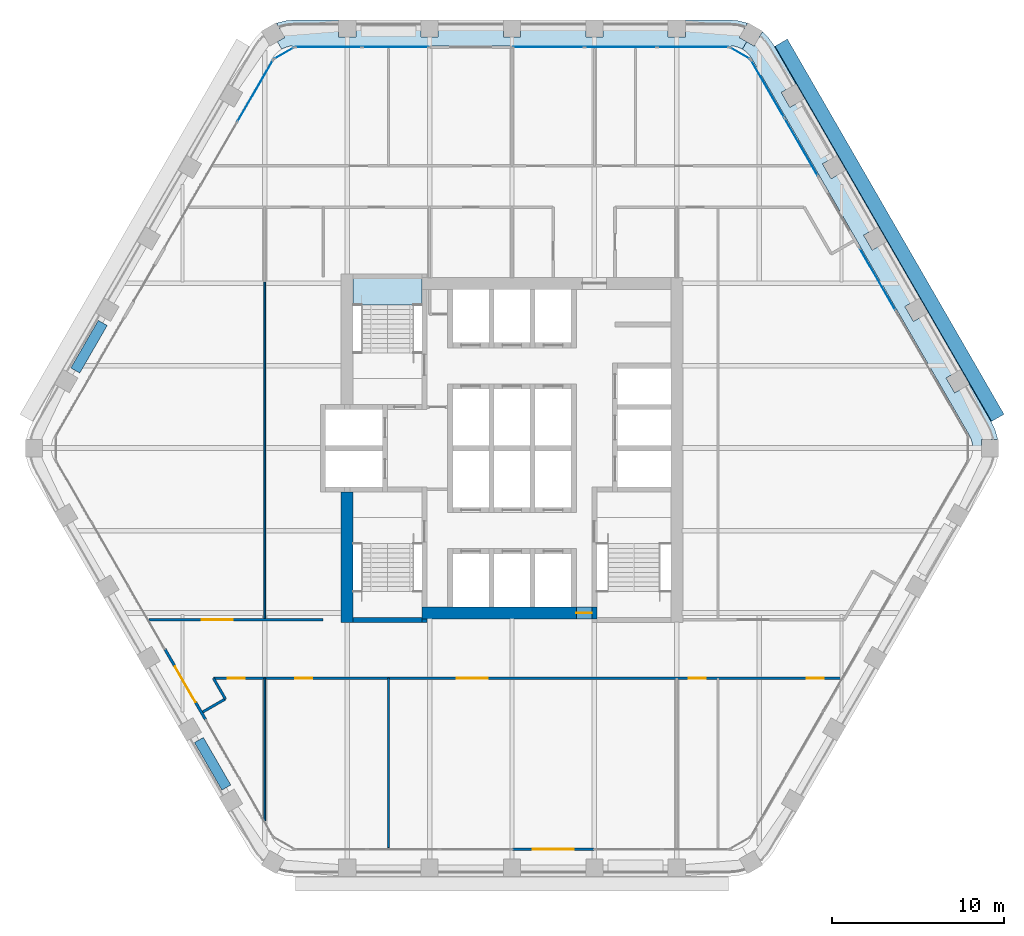
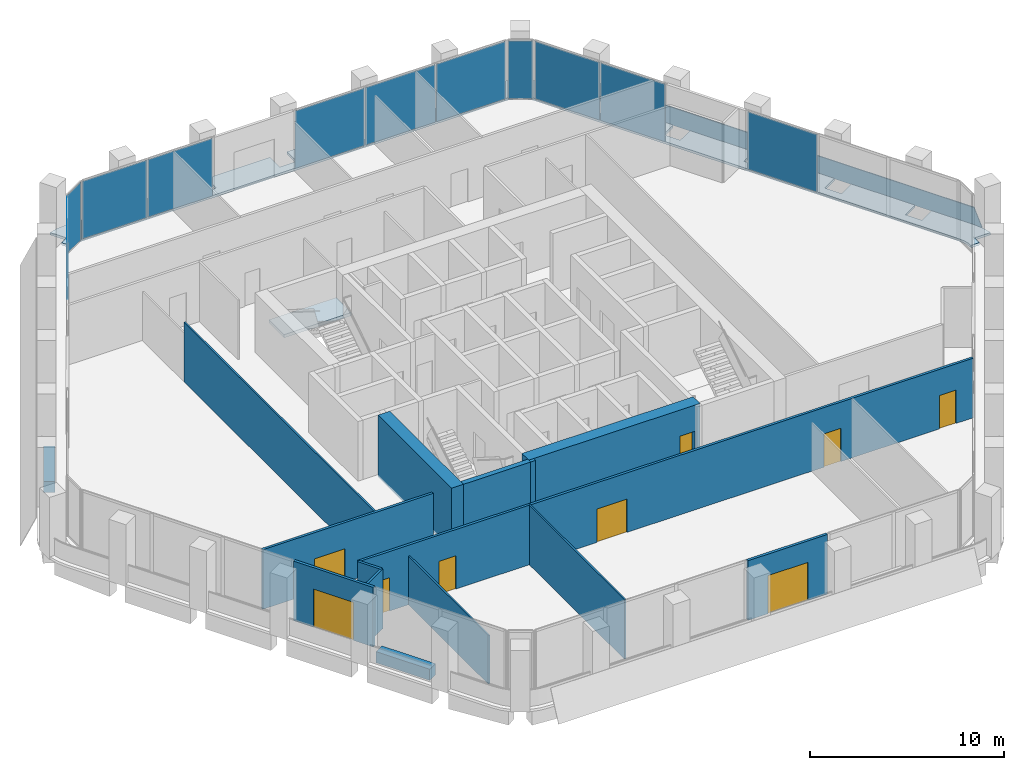
# One storey, part 8 of 15: 15 walls, 12 plates, 9 doors, 3 slabs, 9 openings, 8 elements without a shape of their own.
"""IFC4 building model written with IfcOpenShell, lengths in metres."""

from ifc_helpers import new_model, si_unit, direction, frame, frame_2d, origin, origin_2d, place, context, subcontext, project, spatial, polyline, rectangle, outline, extrude, material, layer, layer_set, type_object, element, fill, aggregate, save


model = new_model("IFC4")

# Units and contexts
model_context = context("Model", 3, precision=1e-05, world=origin(), true_north=direction((0.0, 1.0)))
body_context = subcontext(model_context, "Body", "Model", "MODEL_VIEW")
ifc_project = project(units=[si_unit("LENGTHUNIT", "METRE"), si_unit("AREAUNIT", "SQUARE_METRE"), si_unit("VOLUMEUNIT", "CUBIC_METRE"), si_unit("PLANEANGLEUNIT", "RADIAN"), si_unit("MASSUNIT", "GRAM", prefix="KILO")], contexts=[model_context])

# Site, building, storey
site_placement = place(None, origin())
site = spatial("IfcSite", under=ifc_project, at=site_placement, CompositionType="ELEMENT")
building_placement = place(site_placement, origin())
building = spatial("IfcBuilding", under=site, at=building_placement, Name="Kolab Exchange Tower", CompositionType="ELEMENT")
storey_placement = place(building_placement, frame((0.0, 0.0, 158.300048828125)))
storey = spatial("IfcBuildingStorey", under=building, at=storey_placement, Name="L32", CompositionType="ELEMENT", Elevation=158.300048828125)

# Slabs
ifc_material_1 = material(Name="Concrete C35/45", Category="concrete")
ifc_layer_1 = layer(ifc_material_1, 0.14990234375)
ifc_layer_set_1 = layer_set([ifc_layer_1], Name="Concrete C35/45")
slab_type_1 = type_object("IfcSlabType", Name="LOGGIA SLAB 150", PredefinedType="FLOOR", material=ifc_layer_set_1)
slab_1_placement = place(storey_placement, frame((0.0, 0.0, -0.150146484375)))
element("IfcSlab", 1, at=slab_1_placement, inside=storey, type_object=slab_type_1, Name="slab/L32/loggia/0-0", PredefinedType="FLOOR", context=body_context, shape_type="SweptSolid", body=[
    extrude(outline(polyline([(13.41796875, 23.240478515625), (13.66796875, 23.673583984375), (13.23486328125, 23.923583984375), (13.713134765625, 24.751708984375), (13.694091796875, 24.760498046875), (13.18896484375, 24.89599609375), (12.66796875, 24.941650390625), (10.10009765625, 24.941650390625), (10.10009765625, 23.941650390625), (9.10009765625, 23.941650390625), (9.10009765625, 24.941650390625), (5.300048828125, 24.941650390625), (5.300048828125, 23.941650390625), (4.300048828125, 23.941650390625), (4.300048828125, 24.941650390625), (0.5, 24.941650390625), (0.5, 23.941650390625), (-0.5, 23.941650390625), (-0.5, 24.941650390625), (-4.300048828125, 24.941650390625), (-4.300048828125, 23.941650390625), (-5.300048828125, 23.941650390625), (-5.300048828125, 24.941650390625), (-9.10009765625, 24.941650390625), (-9.10009765625, 23.941650390625), (-10.10009765625, 23.941650390625), (-10.10009765625, 24.941650390625), (-12.66796875, 24.941650390625), (-13.18896484375, 24.89599609375), (-13.694091796875, 24.760498046875), (-13.713134765625, 24.751708984375), (-13.23486328125, 23.923583984375), (-13.66796875, 23.673583984375), (-13.41796875, 23.240478515625), (-13.180908203125, 23.35107421875), (-12.928466796875, 23.418701171875), (-12.66796875, 23.441650390625), (12.66796875, 23.441650390625), (12.928466796875, 23.418701171875), (13.180908203125, 23.35107421875), (13.41796875, 23.240478515625)])), origin(), (0.0, 0.0, 1.0), 0.150146484375),
])
slab_2_placement = place(storey_placement, frame((0.0, 0.0, -0.150146484375)))
element("IfcSlab", 2, at=slab_2_placement, inside=storey, type_object=slab_type_1, Name="slab/L32/loggia/1-0", PredefinedType="FLOOR", context=body_context, shape_type="SweptSolid", body=[
    extrude(outline(polyline([(26.8359375, 0.0), (27.3359375, 0.0), (27.3359375, 0.5), (28.292236328125, 0.5), (28.290283203125, 0.52099609375), (28.155029296875, 1.026123046875), (27.93408203125, 1.5), (26.64990234375, 3.723876953125), (25.783935546875, 3.223876953125), (25.283935546875, 4.08984375), (26.14990234375, 4.58984375), (24.25, 7.880859375), (23.384033203125, 7.380859375), (22.884033203125, 8.246826171875), (23.75, 8.746826171875), (21.85009765625, 12.037841796875), (20.98388671875, 11.537841796875), (20.48388671875, 12.40380859375), (21.35009765625, 12.90380859375), (19.449951171875, 16.194580078125), (18.583984375, 15.694580078125), (18.083984375, 16.560791015625), (18.949951171875, 17.060791015625), (17.050048828125, 20.3515625), (16.18408203125, 19.8515625), (15.68408203125, 20.717529296875), (16.550048828125, 21.217529296875), (15.26611328125, 23.441650390625), (14.966064453125, 23.869873046875), (14.59619140625, 24.23974609375), (14.5791015625, 24.251708984375), (14.10107421875, 23.423583984375), (13.66796875, 23.673583984375), (13.41796875, 23.240478515625), (13.632080078125, 23.090576171875), (13.81689453125, 22.90576171875), (13.967041015625, 22.691650390625), (26.635009765625, 0.75), (26.745361328125, 0.512939453125), (26.81298828125, 0.260498046875), (26.8359375, 0.0)])), origin(), (0.0, 0.0, 1.0), 0.150146484375),
])

# Plate
ifc_material_2 = material(Name="Laminated glass, clear", Category="glass")
ifc_layer_2 = layer(ifc_material_2, 0.0400390625)
ifc_layer_set_2 = layer_set([ifc_layer_2], Name="Laminated glass, clear")
plate_type_1 = type_object("IfcPlateType", Name="OUTER SKIN LAMINATED GLASS SHEET 40", PredefinedType="SHEET", material=ifc_layer_set_2)
plate_1_placement = place(storey_placement, frame((16.040283203125, 23.830810546875, -0.68310546875), z_axis=(0.784879402523, 0.453150748855, 0.422633082363), x_axis=(0.49999996891, -0.866025421734, 9.26397e-07)))
element("IfcPlate", 3, at=plate_1_placement, inside=storey, type_object=plate_type_1, Name="Outer skin", PredefinedType="SHEET", context=body_context, shape_type="SweptSolid", body=[
    extrude(outline(polyline([(0.0, 0.0), (25.235928246078725, 0.0), (25.235843279343584, -1.9610710072384856), (0.00012646525258926716, -1.9611225980101972), (0.0, 0.0)])), origin(), (0.0, 0.0, -1.0), 0.0400390625),
])

# Stair, slab
ifc_material_3 = material(Name="Concrete C50/60", Category="concrete")
stair_type = type_object("IfcStairType", Name="STAIR ST1 RISER 177.3", PredefinedType="HALF_TURN_STAIR", material=ifc_material_3)
stair_placement = place(storey_placement, origin())
stair = element("IfcStair", 4, at=stair_placement, inside=storey, type_object=stair_type, Name="Stair 1", PredefinedType="HALF_TURN_STAIR")
ifc_layer_3 = layer(ifc_material_3, 0.199951171875)
ifc_layer_set_3 = layer_set([ifc_layer_3], Name="Concrete C50/60")
slab_type_2 = type_object("IfcSlabType", Name="STAIR LANDING 200", PredefinedType="LANDING", material=ifc_layer_set_3)
slab_3_placement = place(storey_placement, frame((0.0, 0.0, 1.75)))
slab_3 = element("IfcSlab", 5, at=slab_3_placement, type_object=slab_type_2, Name="ST1 landing 2", PredefinedType="LANDING", context=body_context, shape_type="SweptSolid", body=[
    extrude(outline(polyline([(-9.25, 8.35009765625), (-5.25, 8.35009765625), (-5.25, 9.909912109375), (-9.25, 9.909912109375), (-9.25, 8.35009765625)])), origin(), (0.0, 0.0, 1.0), 0.199951171875),
])
aggregate(stair, [slab_3])

# Curtain wall, plates
ifc_material_4 = material(Name="Aluminium EN AW-6063 T6", Category="aluminium")
curtain_wall_type = type_object("IfcCurtainWallType", Name="UNITISED UPPER MID ZONE CURTAIN WALL", PredefinedType="NOTDEFINED", material=ifc_material_4)
curtain_wall_1_placement = place(storey_placement, origin())
curtain_wall_1 = element("IfcCurtainWall", 6, at=curtain_wall_1_placement, inside=storey, type_object=curtain_wall_type, Name="cw/L32/F1-1", PredefinedType="NOTDEFINED")
ifc_material_5 = material(Name="Clear insulated glazing unit", Category="glass")
ifc_layer_4 = layer(ifc_material_5, 0.028076171875)
ifc_layer_set_4 = layer_set([ifc_layer_4], Name="Clear insulated glazing unit")
plate_type_2 = type_object("IfcPlateType", Name="UNITISED UPPER MID ZONE GLASS PANEL 28", PredefinedType="CURTAIN_PANEL", material=ifc_layer_set_4)
plate_2_placement = place(storey_placement, frame((-10.68603515625, 23.361572265625, 0.06005859375), z_axis=(0.0, 0.0, 1.0), x_axis=(1.0, 0.0, 0.0)))
plate_2 = element("IfcPlate", 7, at=plate_2_placement, type_object=plate_type_2, Name="CW3 panel 1.1", PredefinedType="CURTAIN_PANEL", context=body_context, shape_type="SweptSolid", body=[
    extrude(rectangle(XDim=3.843994140625, YDim=0.028076171875, at=origin_2d()), origin(), (0.0, 0.0, 1.0), 3.6298828125),
])
plate_3_placement = place(storey_placement, frame((-6.781982421875, 23.361572265625, 0.06005859375), z_axis=(0.0, 0.0, 1.0), x_axis=(1.0, 0.0, 0.0)))
plate_3 = element("IfcPlate", 8, at=plate_3_placement, type_object=plate_type_2, Name="CW3 panel 2.1", PredefinedType="CURTAIN_PANEL", context=body_context, shape_type="SweptSolid", body=[
    extrude(rectangle(XDim=3.843994140625, YDim=0.028076171875, at=origin_2d()), origin(), (0.0, 0.0, 1.0), 3.6298828125),
])
aggregate(curtain_wall_1, [plate_2, plate_3])

curtain_wall_2_placement = place(storey_placement, origin())
curtain_wall_2 = element("IfcCurtainWall", 9, at=curtain_wall_2_placement, inside=storey, type_object=curtain_wall_type, Name="cw/L32/F1-2", PredefinedType="NOTDEFINED")
plate_4_placement = place(storey_placement, frame((2.126220703125, 23.361572265625, 0.06005859375), z_axis=(0.0, 0.0, 1.0), x_axis=(1.0, 0.0, 0.0)))
plate_4 = element("IfcPlate", 10, at=plate_4_placement, type_object=plate_type_2, Name="CW3 panel 1.1", PredefinedType="CURTAIN_PANEL", context=body_context, shape_type="SweptSolid", body=[
    extrude(rectangle(XDim=4.132568359375, YDim=0.028076171875, at=origin_2d()), origin(), (0.0, 0.0, 1.0), 3.6298828125),
])
plate_5_placement = place(storey_placement, frame((6.333984375, 23.361572265625, 0.06005859375), z_axis=(0.0, 0.0, 1.0), x_axis=(1.0, 0.0, 0.0)))
plate_5 = element("IfcPlate", 11, at=plate_5_placement, type_object=plate_type_2, Name="CW3 panel 2.1", PredefinedType="CURTAIN_PANEL", context=body_context, shape_type="SweptSolid", body=[
    extrude(rectangle(XDim=4.16259765625, YDim=0.028076171875, at=origin_2d()), origin(), (0.0, 0.0, 1.0), 3.6298828125),
])
plate_6_placement = place(storey_placement, frame((10.54150390625, 23.361572265625, 0.06005859375), z_axis=(0.0, 0.0, 1.0), x_axis=(1.0, 0.0, 0.0)))
plate_6 = element("IfcPlate", 12, at=plate_6_placement, type_object=plate_type_2, Name="CW3 panel 3.1", PredefinedType="CURTAIN_PANEL", context=body_context, shape_type="SweptSolid", body=[
    extrude(rectangle(XDim=4.132568359375, YDim=0.028076171875, at=origin_2d()), origin(), (0.0, 0.0, 1.0), 3.6298828125),
])
aggregate(curtain_wall_2, [plate_4, plate_5, plate_6])

curtain_wall_3_placement = place(storey_placement, origin())
curtain_wall_3 = element("IfcCurtainWall", 13, at=curtain_wall_3_placement, inside=storey, type_object=curtain_wall_type, Name="cw/L32/F2-1", PredefinedType="NOTDEFINED")
plate_7_placement = place(storey_placement, frame((14.888671875, 20.93505859375, 0.06005859375), z_axis=(0.0, 0.0, 1.0), x_axis=(0.500000031681, -0.866025385493, 0.0)))
plate_7 = element("IfcPlate", 14, at=plate_7_placement, type_object=plate_type_2, Name="CW3 panel 1.1", PredefinedType="CURTAIN_PANEL", context=body_context, shape_type="SweptSolid", body=[
    extrude(rectangle(XDim=3.843994140625, YDim=0.028076171875, at=origin_2d()), origin(), (0.0, 0.0, 1.0), 3.6298828125),
])
plate_8_placement = place(storey_placement, frame((16.840576171875, 17.55419921875, 0.06005859375), z_axis=(0.0, 0.0, 1.0), x_axis=(0.500000031681, -0.866025385493, 0.0)))
plate_8 = element("IfcPlate", 15, at=plate_8_placement, type_object=plate_type_2, Name="CW3 panel 2.1", PredefinedType="CURTAIN_PANEL", context=body_context, shape_type="SweptSolid", body=[
    extrude(rectangle(XDim=3.843994140625, YDim=0.028076171875, at=origin_2d()), origin(), (0.0, 0.0, 1.0), 3.6298828125),
])
aggregate(curtain_wall_3, [plate_7, plate_8])

# Curtain wall, plate
curtain_wall_4_placement = place(storey_placement, origin())
curtain_wall_4 = element("IfcCurtainWall", 16, at=curtain_wall_4_placement, inside=storey, type_object=curtain_wall_type, Name="cw/L32/F2-2", PredefinedType="NOTDEFINED")
plate_9_placement = place(storey_placement, frame((21.294921875, 9.83935546875, 0.06005859375), z_axis=(0.0, 0.0, 1.0), x_axis=(0.499999958358, -0.866025427826, 0.0)))
plate_9 = element("IfcPlate", 17, at=plate_9_placement, type_object=plate_type_2, Name="CW3 panel 1.1", PredefinedType="CURTAIN_PANEL", context=body_context, shape_type="SweptSolid", body=[
    extrude(rectangle(XDim=4.132568359375, YDim=0.028076171875, at=origin_2d()), origin(), (0.0, 0.0, 1.0), 3.6298828125),
])
aggregate(curtain_wall_4, [plate_9])

curtain_wall_5_placement = place(storey_placement, origin())
curtain_wall_5 = element("IfcCurtainWall", 18, at=curtain_wall_5_placement, inside=storey, type_object=curtain_wall_type, Name="cw/L32/F6-2", PredefinedType="NOTDEFINED")
plate_10_placement = place(storey_placement, frame((-14.9609375, 20.81005859375, 0.06005859375), z_axis=(0.0, 0.0, 1.0), x_axis=(0.500000017564, 0.866025393644, 0.0)))
plate_10 = element("IfcPlate", 19, at=plate_10_placement, type_object=plate_type_2, Name="CW3 panel 3.1", PredefinedType="CURTAIN_PANEL", context=body_context, shape_type="SweptSolid", body=[
    extrude(rectangle(XDim=4.132568359375, YDim=0.028076171875, at=origin_2d()), origin(), (0.0, 0.0, 1.0), 3.6298828125),
])
aggregate(curtain_wall_5, [plate_10])

curtain_wall_6_placement = place(storey_placement, origin())
curtain_wall_6 = element("IfcCurtainWall", 20, at=curtain_wall_6_placement, inside=storey, type_object=curtain_wall_type, Name="cw/L32/F1F2-corner", PredefinedType="NOTDEFINED")
plate_11_placement = place(storey_placement, frame((13.28271484375, 23.006591796875, 0.06005859375), z_axis=(0.0, 0.0, 1.0), x_axis=(0.866025390869, -0.50000002237, 0.0)))
plate_11 = element("IfcPlate", 21, at=plate_11_placement, type_object=plate_type_2, Name="CW3 panel 1.1", PredefinedType="CURTAIN_PANEL", context=body_context, shape_type="SweptSolid", body=[
    extrude(rectangle(XDim=1.300048828125, YDim=0.028076171875, at=origin_2d()), origin(), (0.0, 0.0, 1.0), 3.6298828125),
])
aggregate(curtain_wall_6, [plate_11])

curtain_wall_7_placement = place(storey_placement, origin())
curtain_wall_7 = element("IfcCurtainWall", 22, at=curtain_wall_7_placement, inside=storey, type_object=curtain_wall_type, Name="cw/L32/F6F1-corner", PredefinedType="NOTDEFINED")
plate_12_placement = place(storey_placement, frame((-13.28271484375, 23.006591796875, 0.06005859375), z_axis=(0.0, 0.0, 1.0), x_axis=(0.866025390869, 0.50000002237, 0.0)))
plate_12 = element("IfcPlate", 23, at=plate_12_placement, type_object=plate_type_2, Name="CW3 panel 1.1", PredefinedType="CURTAIN_PANEL", context=body_context, shape_type="SweptSolid", body=[
    extrude(rectangle(XDim=1.300048828125, YDim=0.028076171875, at=origin_2d()), origin(), (0.0, 0.0, 1.0), 3.6298828125),
])
aggregate(curtain_wall_7, [plate_12])

# Wall, opening, door
ifc_material_6 = material(Name="Concrete C60/75", Category="concrete")
ifc_layer_5 = layer(ifc_material_6, 0.699951171875)
ifc_layer_set_5 = layer_set([ifc_layer_5], Name="Concrete C60/75")
wall_type_1 = type_object("IfcWallType", Name="CORE WALL 700 C60/75", PredefinedType="SHEAR", material=ifc_layer_set_5)
wall_1_placement = place(storey_placement, frame((-5.25, -9.60009765625, -0.150146484375), z_axis=(0.0, 0.0, 1.0), x_axis=(1.0, 0.0, 0.0)))
wall_1 = element("IfcWall", 24, at=wall_1_placement, inside=storey, type_object=wall_type_1, Name="wall/L32/core/002", PredefinedType="SHEAR", context=body_context, shape_type="SweptSolid", body=[
    extrude(rectangle(XDim=10.199951171875, YDim=0.699951171875, at=frame_2d((5.10009765625, 0.0))), origin(), (0.0, 0.0, 1.0), 3.900146484375),
])
opening_1_placement = place(wall_1_placement, frame((9.0, 0.0, 0.14990234375)))
opening_1 = element("IfcOpeningElement", 25, at=opening_1_placement, cuts=wall_1, Name="Opening D6-287", PredefinedType="OPENING", context=body_context, shape_type="SweptSolid", body=[
    extrude(rectangle(XDim=0.89990234375, YDim=2.10009765625, at=frame_2d((0.449951171875, 1.050048828125))), frame((0.0, 0.35986328125, 0.0), z_axis=(0.0, -1.0, 0.0), x_axis=(1.0, 0.0, 0.0)), (0.0, 0.0, 1.0), 0.719970703125),
])
ifc_material_7 = material(Name="Steel S235", Category="steel")
door_type_1 = type_object("IfcDoorType", Name="CORE DOOR 900 EI 120", OperationType="SINGLE_SWING_LEFT", PredefinedType="DOOR", material=ifc_material_7)
door_1_placement = place(opening_1_placement, origin())
door_1 = element("IfcDoor", 26, at=door_1_placement, inside=storey, type_object=door_type_1, Name="Core lobby door", OperationType="SINGLE_SWING_LEFT", OverallHeight=2.10009765625, OverallWidth=0.89990234375, PredefinedType="DOOR", context=body_context, shape_type="SweptSolid", body=[
    extrude(rectangle(XDim=0.89990234375, YDim=2.10009765625, at=frame_2d((0.449951171875, 1.050048828125))), frame((0.0, 0.02490234375, 0.0), z_axis=(0.0, -1.0, 0.0), x_axis=(1.0, 0.0, 0.0)), (0.0, 0.0, 1.0), 0.050048828125),
])
fill(opening_1, door_1)

# Wall
wall_2_placement = place(storey_placement, frame((-9.60009765625, -10.14990234375, -0.150146484375), z_axis=(0.0, 0.0, 1.0), x_axis=(0.0, 1.0, 0.0)))
element("IfcWall", 27, at=wall_2_placement, inside=storey, type_object=wall_type_1, Name="wall/L32/core/034", PredefinedType="SHEAR", context=body_context, shape_type="SweptSolid", body=[
    extrude(rectangle(XDim=7.599853515625, YDim=0.699951171875, at=frame_2d((3.7998046875, 0.0))), origin(), (0.0, 0.0, 1.0), 3.900146484375),
])

# Wall, opening, door
ifc_layer_6 = layer(ifc_material_4, 0.159912109375)
ifc_layer_set_6 = layer_set([ifc_layer_6], Name="Aluminium EN AW-6063 T6")
wall_type_2 = type_object("IfcWallType", Name="DOOR SURROUND WALL 160 ALUMINIUM FRAMED", PredefinedType="PARTITIONING", material=ifc_layer_set_6)
wall_3_placement = place(storey_placement, frame((4.77001953125, -23.361572265625, 0.0), z_axis=(0.0, 0.0, 1.0), x_axis=(-1.0, 0.0, 0.0)))
wall_3 = element("IfcWall", 28, at=wall_3_placement, inside=storey, type_object=wall_type_2, Name="Door surround wall", PredefinedType="PARTITIONING", context=body_context, shape_type="SweptSolid", body=[
    extrude(rectangle(XDim=4.739990234375, YDim=0.159912109375, at=frame_2d((2.3701171875, 0.0))), origin(), (0.0, 0.0, 1.0), 3.75),
])
opening_2_placement = place(wall_3_placement, frame((1.169921875, 0.0, 0.0)))
opening_2 = element("IfcOpeningElement", 29, at=opening_2_placement, cuts=wall_3, Name="Opening GD1-067", PredefinedType="OPENING", context=body_context, shape_type="SweptSolid", body=[
    extrude(rectangle(XDim=2.39990234375, YDim=2.39990234375, at=frame_2d((1.199951171875, 1.199951171875))), frame((0.0, 0.08984375, 0.0), z_axis=(0.0, -1.0, 0.0), x_axis=(1.0, 0.0, 0.0)), (0.0, 0.0, 1.0), 0.179931640625),
])
door_type_2 = type_object("IfcDoorType", Name="LOGGIA SLIDING GLASS DOOR 2400 X 2400", OperationType="DOUBLE_DOOR_SINGLE_SWING", PredefinedType="DOOR", material=ifc_material_4)
door_2_placement = place(opening_2_placement, origin())
door_2 = element("IfcDoor", 30, at=door_2_placement, inside=storey, type_object=door_type_2, Name="Loggia door", OperationType="DOUBLE_DOOR_SLIDING", OverallHeight=2.39990234375, OverallWidth=2.39990234375, PredefinedType="DOOR", context=body_context, shape_type="SweptSolid", body=[
    extrude(rectangle(XDim=2.39990234375, YDim=2.39990234375, at=frame_2d((1.199951171875, 1.199951171875))), frame((0.0, 0.02490234375, 0.0), z_axis=(0.0, -1.0, 0.0), x_axis=(1.0, 0.0, 0.0)), (0.0, 0.0, 1.0), 0.050048828125),
])
fill(opening_2, door_2)

wall_4_placement = place(storey_placement, frame((-17.8466796875, -15.811767578125, 0.0), z_axis=(0.0, 0.0, 1.0), x_axis=(-0.5000167099, 0.866015756104, 0.0)))
wall_4 = element("IfcWall", 31, at=wall_4_placement, inside=storey, type_object=wall_type_2, Name="Door surround wall", PredefinedType="PARTITIONING", context=body_context, shape_type="SweptSolid", body=[
    extrude(rectangle(XDim=4.739990234375, YDim=0.159912109375, at=frame_2d((2.3701171875, 0.0))), origin(), (0.0, 0.0, 1.0), 3.75),
])
opening_3_placement = place(wall_4_placement, frame((1.169921875, 0.0, 0.0)))
opening_3 = element("IfcOpeningElement", 32, at=opening_3_placement, cuts=wall_4, Name="Opening GD1-068", PredefinedType="OPENING", context=body_context, shape_type="SweptSolid", body=[
    extrude(rectangle(XDim=2.39990234375, YDim=2.39990234375, at=frame_2d((1.199951171875, 1.199951171875))), frame((0.0, 0.08984375, 0.0), z_axis=(0.0, -1.0, 0.0), x_axis=(1.0, 0.0, 0.0)), (0.0, 0.0, 1.0), 0.179931640625),
])
door_3_placement = place(opening_3_placement, origin())
door_3 = element("IfcDoor", 33, at=door_3_placement, inside=storey, type_object=door_type_2, Name="Loggia door", OperationType="DOUBLE_DOOR_SLIDING", OverallHeight=2.39990234375, OverallWidth=2.39990234375, PredefinedType="DOOR", context=body_context, shape_type="SweptSolid", body=[
    extrude(rectangle(XDim=2.39990234375, YDim=2.39990234375, at=frame_2d((1.199951171875, 1.199951171875))), frame((0.0, 0.02490234375, 0.0), z_axis=(0.0, -1.0, 0.0), x_axis=(1.0, 0.0, 0.0)), (0.0, 0.0, 1.0), 0.050048828125),
])
fill(opening_3, door_3)

# Walls
ifc_material_8 = material(Name="Gypsum board", Category="gypsum")
ifc_layer_7 = layer(ifc_material_8, 0.10009765625)
ifc_layer_set_7 = layer_set([ifc_layer_7], Name="Gypsum board")
wall_type_3 = type_object("IfcWallType", Name="PARTITION 100", PredefinedType="PARTITIONING", material=ifc_layer_set_7)
wall_5_placement = place(storey_placement, frame((-7.199951171875, -23.271484375, 0.0), z_axis=(0.0, 0.0, 1.0), x_axis=(0.0, 1.0, 0.0)))
element("IfcWall", 34, at=wall_5_placement, inside=storey, type_object=wall_type_3, Name="Partition 012", PredefinedType="PARTITIONING", context=body_context, shape_type="SweptSolid", body=[
    extrude(rectangle(XDim=9.87158203125, YDim=0.10009765625, at=frame_2d((4.935791015625, 0.0))), origin(), (0.0, 0.0, 1.0), 3.75),
])
wall_6_placement = place(storey_placement, frame((-14.39990234375, -21.701416015625, 0.0), z_axis=(0.0, 0.0, 1.0), x_axis=(0.0, 1.0, 0.0)))
element("IfcWall", 35, at=wall_6_placement, inside=storey, type_object=wall_type_3, Name="Partition 015", PredefinedType="PARTITIONING", context=body_context, shape_type="SweptSolid", body=[
    extrude(rectangle(XDim=8.301513671875, YDim=0.10009765625, at=frame_2d((4.15087890625, 0.0))), origin(), (0.0, 0.0, 1.0), 3.06591796875),
])
wall_7_placement = place(storey_placement, frame((-14.39990234375, -10.0, 0.0), z_axis=(0.0, 0.0, 1.0), x_axis=(0.0, 1.0, 0.0)))
element("IfcWall", 36, at=wall_7_placement, inside=storey, type_object=wall_type_3, Name="Partition 016", PredefinedType="PARTITIONING", context=body_context, shape_type="SweptSolid", body=[
    extrude(rectangle(XDim=19.693603515625, YDim=0.10009765625, at=frame_2d((9.8466796875, 0.0))), origin(), (0.0, 0.0, 1.0), 3.75),
])
ifc_layer_8 = layer(ifc_material_8, 0.14990234375)
ifc_layer_set_8 = layer_set([ifc_layer_8], Name="Gypsum board")
wall_type_4 = type_object("IfcWallType", Name="PARTITION 150 FIRE-RATED", PredefinedType="PARTITIONING", material=ifc_layer_set_8)
wall_8_placement = place(storey_placement, frame((-17.3916015625, -13.39990234375, 0.0), z_axis=(0.0, 0.0, 1.0), x_axis=(0.4999705729, -0.866042392862, 0.0)))
element("IfcWall", 37, at=wall_8_placement, inside=storey, type_object=wall_type_4, Name="Partition 017", PredefinedType="PARTITIONING", context=body_context, shape_type="SweptSolid", body=[
    extrude(rectangle(XDim=1.39111328125, YDim=0.14990234375, at=frame_2d((0.695556640625, 0.0))), origin(), (0.0, 0.0, 1.0), 3.75),
])
wall_9_placement = place(storey_placement, frame((-18.012451171875, -15.36474609375, 0.0), z_axis=(0.0, 0.0, 1.0), x_axis=(0.866030456496, 0.499991248344, 0.0)))
element("IfcWall", 38, at=wall_9_placement, inside=storey, type_object=wall_type_4, Name="Partition 021", PredefinedType="PARTITIONING", context=body_context, shape_type="SweptSolid", body=[
    extrude(rectangle(XDim=1.52001953125, YDim=0.14990234375, at=frame_2d((0.760009765625, 0.0))), origin(), (0.0, 0.0, 1.0), 3.75),
])

# Wall, openings, doors
wall_10_placement = place(storey_placement, frame((-17.3916015625, -13.39990234375, 0.0), z_axis=(0.0, 0.0, 1.0), x_axis=(1.0, 0.0, 0.0)))
wall_10 = element("IfcWall", 39, at=wall_10_placement, inside=storey, type_object=wall_type_4, Name="Partition 023", PredefinedType="PARTITIONING", context=body_context, shape_type="SweptSolid", body=[
    extrude(rectangle(XDim=36.58447265625, YDim=0.14990234375, at=frame_2d((18.292236328125, 0.0))), origin(), (0.0, 0.0, 1.0), 3.75),
])
opening_4_placement = place(wall_10_placement, frame((0.83203125, 0.0, 0.0)))
opening_4 = element("IfcOpeningElement", 40, at=opening_4_placement, cuts=wall_10, Name="Opening D1-453", PredefinedType="OPENING", context=body_context, shape_type="SweptSolid", body=[
    extrude(rectangle(XDim=1.0, YDim=2.10009765625, at=frame_2d((0.5, 1.050048828125))), frame((0.0, 0.0849609375, 0.0), z_axis=(0.0, -1.0, 0.0), x_axis=(1.0, 0.0, 0.0)), (0.0, 0.0, 1.0), 0.169921875),
])
opening_5_placement = place(wall_10_placement, frame((4.7666015625, 0.0, 0.0)))
opening_5 = element("IfcOpeningElement", 41, at=opening_5_placement, cuts=wall_10, Name="Opening D1-454", PredefinedType="OPENING", context=body_context, shape_type="SweptSolid", body=[
    extrude(rectangle(XDim=1.0, YDim=2.10009765625, at=frame_2d((0.5, 1.050048828125))), frame((0.0, 0.0849609375, 0.0), z_axis=(0.0, -1.0, 0.0), x_axis=(1.0, 0.0, 0.0)), (0.0, 0.0, 1.0), 0.169921875),
])
opening_6_placement = place(wall_10_placement, frame((14.16650390625, 0.0, 0.0)))
opening_6 = element("IfcOpeningElement", 42, at=opening_6_placement, cuts=wall_10, Name="Opening D2-045", PredefinedType="OPENING", context=body_context, shape_type="SweptSolid", body=[
    extrude(rectangle(XDim=1.800048828125, YDim=2.10009765625, at=frame_2d((0.89990234375, 1.050048828125))), frame((0.0, 0.0849609375, 0.0), z_axis=(0.0, -1.0, 0.0), x_axis=(1.0, 0.0, 0.0)), (0.0, 0.0, 1.0), 0.169921875),
])
opening_7_placement = place(wall_10_placement, frame((27.691650390625, 0.0, 0.0)))
opening_7 = element("IfcOpeningElement", 43, at=opening_7_placement, cuts=wall_10, Name="Opening D1-455", PredefinedType="OPENING", context=body_context, shape_type="SweptSolid", body=[
    extrude(rectangle(XDim=1.0, YDim=2.10009765625, at=frame_2d((0.5, 1.050048828125))), frame((0.0, 0.0849609375, 0.0), z_axis=(0.0, -1.0, 0.0), x_axis=(1.0, 0.0, 0.0)), (0.0, 0.0, 1.0), 0.169921875),
])
opening_8_placement = place(wall_10_placement, frame((34.563232421875, 0.0, 0.0)))
opening_8 = element("IfcOpeningElement", 44, at=opening_8_placement, cuts=wall_10, Name="Opening D1-456", PredefinedType="OPENING", context=body_context, shape_type="SweptSolid", body=[
    extrude(rectangle(XDim=1.0, YDim=2.10009765625, at=frame_2d((0.5, 1.050048828125))), frame((0.0, 0.0849609375, 0.0), z_axis=(0.0, -1.0, 0.0), x_axis=(1.0, 0.0, 0.0)), (0.0, 0.0, 1.0), 0.169921875),
])
door_type_3 = type_object("IfcDoorType", Name="DOUBLE DOOR 1800 FD60", OperationType="DOUBLE_DOOR_SINGLE_SWING", PredefinedType="DOOR", material=ifc_material_7)
door_4_placement = place(opening_6_placement, frame((1.800048828125, 0.0, 0.0), z_axis=(0.0, 0.0, 1.0), x_axis=(-1.0, 0.0, 0.0)))
door_4 = element("IfcDoor", 45, at=door_4_placement, inside=storey, type_object=door_type_3, Name="Door L32-040", OperationType="SINGLE_SWING_LEFT", OverallHeight=2.10009765625, OverallWidth=1.800048828125, PredefinedType="DOOR", context=body_context, shape_type="SweptSolid", body=[
    extrude(rectangle(XDim=1.800048828125, YDim=2.10009765625, at=frame_2d((0.89990234375, 1.050048828125))), frame((0.0, 0.02490234375, 0.0), z_axis=(0.0, -1.0, 0.0), x_axis=(1.0, 0.0, 0.0)), (0.0, 0.0, 1.0), 0.050048828125),
])
fill(opening_6, door_4)
door_type_4 = type_object("IfcDoorType", Name="FLUSH DOOR 1000 FD60", OperationType="SINGLE_SWING_LEFT", PredefinedType="DOOR", material=ifc_material_7)
door_5_placement = place(opening_4_placement, frame((1.0, 0.0, 0.0), z_axis=(0.0, 0.0, 1.0), x_axis=(-1.0, 0.0, 0.0)))
door_5 = element("IfcDoor", 46, at=door_5_placement, inside=storey, type_object=door_type_4, Name="Door L32-038", OperationType="SINGLE_SWING_LEFT", OverallHeight=2.10009765625, OverallWidth=1.0, PredefinedType="DOOR", context=body_context, shape_type="SweptSolid", body=[
    extrude(rectangle(XDim=1.0, YDim=2.10009765625, at=frame_2d((0.5, 1.050048828125))), frame((0.0, 0.02490234375, 0.0), z_axis=(0.0, -1.0, 0.0), x_axis=(1.0, 0.0, 0.0)), (0.0, 0.0, 1.0), 0.050048828125),
])
fill(opening_4, door_5)
door_6_placement = place(opening_5_placement, frame((1.0, 0.0, 0.0), z_axis=(0.0, 0.0, 1.0), x_axis=(-1.0, 0.0, 0.0)))
door_6 = element("IfcDoor", 47, at=door_6_placement, inside=storey, type_object=door_type_4, Name="Door L32-039", OperationType="SINGLE_SWING_LEFT", OverallHeight=2.10009765625, OverallWidth=1.0, PredefinedType="DOOR", context=body_context, shape_type="SweptSolid", body=[
    extrude(rectangle(XDim=1.0, YDim=2.10009765625, at=frame_2d((0.5, 1.050048828125))), frame((0.0, 0.02490234375, 0.0), z_axis=(0.0, -1.0, 0.0), x_axis=(1.0, 0.0, 0.0)), (0.0, 0.0, 1.0), 0.050048828125),
])
fill(opening_5, door_6)
door_7_placement = place(opening_7_placement, frame((1.0, 0.0, 0.0), z_axis=(0.0, 0.0, 1.0), x_axis=(-1.0, 0.0, 0.0)))
door_7 = element("IfcDoor", 48, at=door_7_placement, inside=storey, type_object=door_type_4, Name="Door L32-041", OperationType="SINGLE_SWING_RIGHT", OverallHeight=2.10009765625, OverallWidth=1.0, PredefinedType="DOOR", context=body_context, shape_type="SweptSolid", body=[
    extrude(rectangle(XDim=1.0, YDim=2.10009765625, at=frame_2d((0.5, 1.050048828125))), frame((0.0, 0.02490234375, 0.0), z_axis=(0.0, -1.0, 0.0), x_axis=(1.0, 0.0, 0.0)), (0.0, 0.0, 1.0), 0.050048828125),
])
fill(opening_7, door_7)
door_8_placement = place(opening_8_placement, frame((1.0, 0.0, 0.0), z_axis=(0.0, 0.0, 1.0), x_axis=(-1.0, 0.0, 0.0)))
door_8 = element("IfcDoor", 49, at=door_8_placement, inside=storey, type_object=door_type_4, Name="Door L32-042", OperationType="SINGLE_SWING_RIGHT", OverallHeight=2.10009765625, OverallWidth=1.0, PredefinedType="DOOR", context=body_context, shape_type="SweptSolid", body=[
    extrude(rectangle(XDim=1.0, YDim=2.10009765625, at=frame_2d((0.5, 1.050048828125))), frame((0.0, 0.02490234375, 0.0), z_axis=(0.0, -1.0, 0.0), x_axis=(1.0, 0.0, 0.0)), (0.0, 0.0, 1.0), 0.050048828125),
])
fill(opening_8, door_8)

# Wall, opening, door
wall_11_placement = place(storey_placement, frame((-21.156005859375, -10.0, 0.0), z_axis=(0.0, 0.0, 1.0), x_axis=(1.0, 0.0, 0.0)))
wall_11 = element("IfcWall", 50, at=wall_11_placement, inside=storey, type_object=wall_type_4, Name="Partition 024", PredefinedType="PARTITIONING", context=body_context, shape_type="SweptSolid", body=[
    extrude(rectangle(XDim=10.156005859375, YDim=0.14990234375, at=frame_2d((5.078125, 0.0))), origin(), (0.0, 0.0, 1.0), 3.75),
])
opening_9_placement = place(wall_11_placement, frame((3.082763671875, 0.0, 0.0)))
opening_9 = element("IfcOpeningElement", 51, at=opening_9_placement, cuts=wall_11, Name="Opening D2-047", PredefinedType="OPENING", context=body_context, shape_type="SweptSolid", body=[
    extrude(rectangle(XDim=1.800048828125, YDim=2.10009765625, at=frame_2d((0.89990234375, 1.050048828125))), frame((0.0, 0.0849609375, 0.0), z_axis=(0.0, -1.0, 0.0), x_axis=(1.0, 0.0, 0.0)), (0.0, 0.0, 1.0), 0.169921875),
])
door_9_placement = place(opening_9_placement, origin())
door_9 = element("IfcDoor", 52, at=door_9_placement, inside=storey, type_object=door_type_3, Name="Door L32-045", OperationType="SINGLE_SWING_RIGHT", OverallHeight=2.10009765625, OverallWidth=1.800048828125, PredefinedType="DOOR", context=body_context, shape_type="SweptSolid", body=[
    extrude(rectangle(XDim=1.800048828125, YDim=2.10009765625, at=frame_2d((0.89990234375, 1.050048828125))), frame((0.0, 0.02490234375, 0.0), z_axis=(0.0, -1.0, 0.0), x_axis=(1.0, 0.0, 0.0)), (0.0, 0.0, 1.0), 0.050048828125),
])
fill(opening_9, door_9)

# Walls
ifc_material_9 = material(Name="Granite facing", Category="masonry")
ifc_layer_9 = layer(ifc_material_9, 0.0400390625)
ifc_material_10 = material(Name="Concrete C40/50 precast", Category="concrete")
ifc_layer_10 = layer(ifc_material_10, 0.56005859375)
ifc_layer_set_9 = layer_set([ifc_layer_9, ifc_layer_10], Name="Concrete C40/50 precast")
wall_type_5 = type_object("IfcWallType", Name="PLANTER BOX 600 X 700 SOIL DEPTH 550", PredefinedType="USERDEFINED", material=ifc_layer_set_9)
wall_12_placement = place(storey_placement, frame((-16.636962890625, -19.766845703125, 0.0), z_axis=(0.0, 0.0, 1.0), x_axis=(-0.500028443584, 0.866008981251, 0.0)))
element("IfcWall", 53, at=wall_12_placement, inside=storey, type_object=wall_type_5, Name="Planter", ObjectType="PLANTER", PredefinedType="USERDEFINED", context=body_context, shape_type="SweptSolid", body=[
    extrude(rectangle(XDim=3.199951171875, YDim=0.60009765625, at=frame_2d((1.60009765625, 0.0))), origin(), (0.0, 0.0, 1.0), 0.699951171875),
])
wall_13_placement = place(storey_placement, frame((-25.43701171875, 4.524658203125, 0.0), z_axis=(0.0, 0.0, 1.0), x_axis=(0.499938187974, 0.866061088033, 0.0)))
element("IfcWall", 54, at=wall_13_placement, inside=storey, type_object=wall_type_5, Name="Planter", ObjectType="PLANTER", PredefinedType="USERDEFINED", context=body_context, shape_type="SweptSolid", body=[
    extrude(rectangle(XDim=3.2001953125, YDim=0.60009765625, at=frame_2d((1.60009765625, 0.0))), origin(), (0.0, 0.0, 1.0), 0.699951171875),
])
ifc_layer_11 = layer(ifc_material_3, 0.300048828125)
ifc_layer_set_10 = layer_set([ifc_layer_11], Name="Concrete C50/60")
wall_type_6 = type_object("IfcWallType", Name="STAIR ENCLOSURE WALL 300 C50/60", PredefinedType="STANDARD", material=ifc_layer_set_10)
wall_14_placement = place(storey_placement, frame((-9.25, -10.0, -0.150146484375), z_axis=(0.0, 0.0, 1.0), x_axis=(1.0, 0.0, 0.0)))
element("IfcWall", 55, at=wall_14_placement, inside=storey, type_object=wall_type_6, Name="wall/L32/core/000", PredefinedType="STANDARD", context=body_context, shape_type="SweptSolid", body=[
    extrude(rectangle(XDim=4.0, YDim=0.300048828125, at=frame_2d((2.0, 0.0))), origin(), (0.0, 0.0, 1.0), 3.900146484375),
])
wall_15_placement = place(storey_placement, frame((-5.10009765625, -10.14990234375, -0.150146484375), z_axis=(0.0, 0.0, 1.0), x_axis=(0.0, 1.0, 0.0)))
element("IfcWall", 56, at=wall_15_placement, inside=storey, type_object=wall_type_6, Name="wall/L32/core/039", PredefinedType="STANDARD", context=body_context, shape_type="SweptSolid", body=[
    extrude(rectangle(XDim=0.199951171875, YDim=0.300048828125, at=frame_2d((0.10009765625, 0.0))), origin(), (0.0, 0.0, 1.0), 3.900146484375),
])

save(model, "model.ifc")
